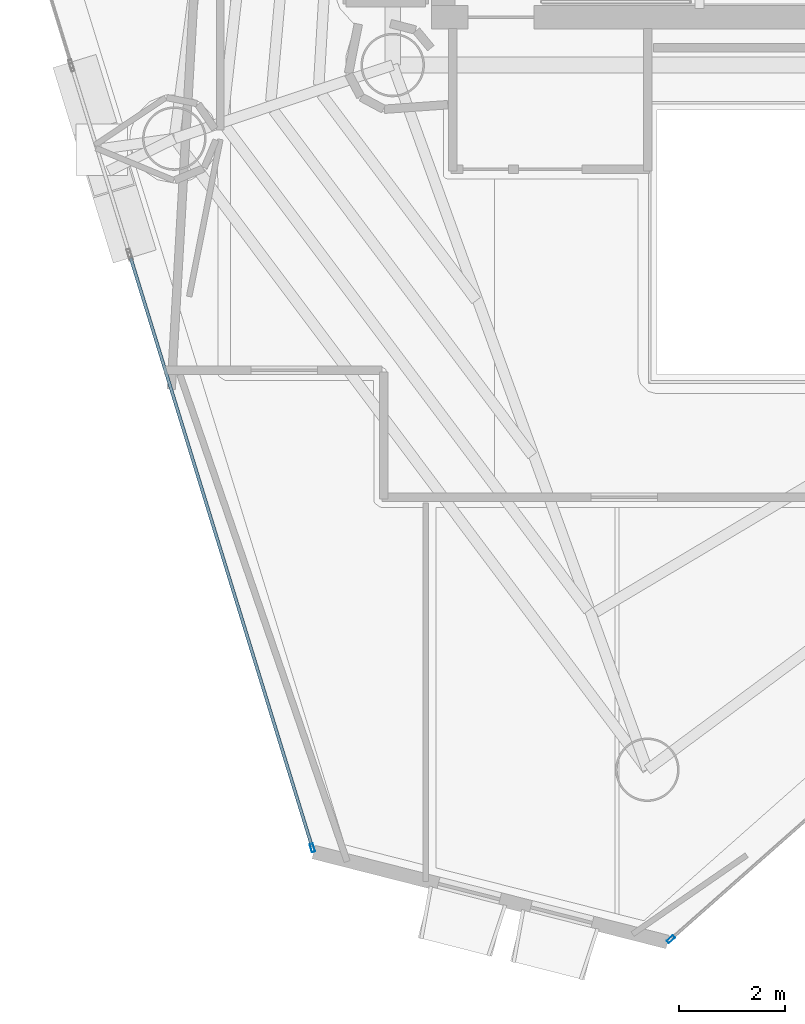
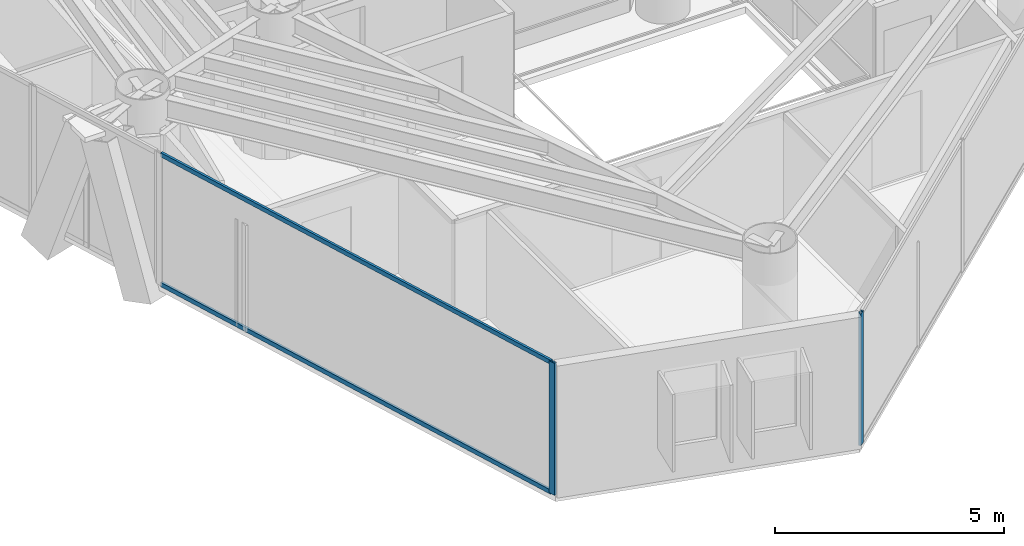
# One storey, part 2 of 23: 4 members, 2 elements without a shape of their own.
"""IFC4 building model written with IfcOpenShell, lengths in metres."""

from ifc_helpers import new_model, si_unit, direction, frame, origin, origin_2d, place, context, subcontext, project, spatial, hollow_rectangle, extrude, material, layer, layer_set, material_profile, profile_set, type_object, element, aggregate, save


model = new_model("IFC4")

# Units and contexts
model_context = context("Model", 3, precision=1e-05, world=origin(), true_north=direction((0.0, 1.0)))
body_context = subcontext(model_context, "Body", "Model", "MODEL_VIEW")
ifc_project = project(units=[si_unit("LENGTHUNIT", "METRE"), si_unit("AREAUNIT", "SQUARE_METRE"), si_unit("VOLUMEUNIT", "CUBIC_METRE"), si_unit("PLANEANGLEUNIT", "RADIAN"), si_unit("MASSUNIT", "GRAM", prefix="KILO")], contexts=[model_context])

# Site, building, storey
site_placement = place(None, origin())
site = spatial("IfcSite", under=ifc_project, at=site_placement, CompositionType="ELEMENT")
building_placement = place(site_placement, origin())
building = spatial("IfcBuilding", under=site, at=building_placement, Name="Qianvela Tower", CompositionType="ELEMENT")
storey_placement = place(building_placement, frame((0.0, 0.0, 218.800048828125)))
storey = spatial("IfcBuildingStorey", under=building, at=storey_placement, Name="L56", CompositionType="ELEMENT", Elevation=218.800048828125)

# Curtain wall, member
ifc_material_1 = material(Name="Anodised Architectural Aluminium and Low-E Glass", Category="aluminium")
ifc_layer = layer(ifc_material_1, 0.159912109375)
ifc_layer_set = layer_set([ifc_layer], Name="Anodised Architectural Aluminium and Low-E Glass")
curtain_wall_type = type_object("IfcCurtainWallType", Name="CW-COLIV-Z56", PredefinedType="USERDEFINED", material=ifc_layer_set)
curtain_wall_1_placement = place(storey_placement, origin())
curtain_wall_1 = element("IfcCurtainWall", 1, at=curtain_wall_1_placement, inside=storey, type_object=curtain_wall_type, Name="L56 CW-COLIV-Z56 Curtain Wall 04C", ObjectType="CURTAIN_WALL_SYSTEM", PredefinedType="USERDEFINED")
ifc_material_2 = material(Name="Anodised Architectural Aluminium 6063-T6", Category="aluminium")
ifc_material_profile_1 = material_profile(ifc_material_2, hollow_rectangle(XDim=0.06494140625, YDim=0.159912109375, WallThickness=0.0048828125, at=origin_2d()), Name="ALU-MULL-65x160")
ifc_profile_set_1 = profile_set([ifc_material_profile_1], Name="Anodised Architectural Aluminium 6063-T6")
member_type_1 = type_object("IfcMemberType", Name="CW-COLIV-Z56-MULL", PredefinedType="MULLION", material=ifc_profile_set_1)
member_1_placement = place(storey_placement, frame((27.08251953125, 9.052978515625, 0.0), z_axis=(0.0, 0.0, 1.0), x_axis=(0.955689457726, 0.294376732083, 0.0)))
member_1 = element("IfcMember", 2, at=member_1_placement, type_object=member_type_1, Name="CW-5 mullion 2", PredefinedType="MULLION", context=body_context, shape_type="SweptSolid", body=[
    extrude(hollow_rectangle(XDim=0.06494140625, YDim=0.159912109375, WallThickness=0.0048828125, at=origin_2d()), origin(), (0.0, 0.0, 1.0), 3.52001953125),
])

curtain_wall_2_placement = place(storey_placement, origin())
curtain_wall_2 = element("IfcCurtainWall", 3, at=curtain_wall_2_placement, inside=storey, type_object=curtain_wall_type, Name="L56 CW-COLIV-Z56 Curtain Wall 06A", ObjectType="CURTAIN_WALL_SYSTEM", PredefinedType="USERDEFINED")
member_2_placement = place(storey_placement, frame((33.857666015625, 7.327880859375, 0.0), z_axis=(0.0, 0.0, 1.0), x_axis=(-0.662268583192, 0.749266523819, 0.0)))
member_2 = element("IfcMember", 4, at=member_2_placement, type_object=member_type_1, Name="CW-5 mullion 1", PredefinedType="MULLION", context=body_context, shape_type="SweptSolid", body=[
    extrude(hollow_rectangle(XDim=0.06494140625, YDim=0.159912109375, WallThickness=0.0048828125, at=origin_2d()), origin(), (0.0, 0.0, 1.0), 3.52001953125),
])
aggregate(curtain_wall_2, [member_2])

# Member
ifc_material_3 = material(Name="Anodised Architectural Aluminium 6063-T6", Category="aluminium")
ifc_material_profile_2 = material_profile(ifc_material_3, hollow_rectangle(XDim=0.06005859375, YDim=0.114990234375, WallThickness=0.00390625, at=origin_2d()), Name="ALU-TRAN-60x115")
ifc_profile_set_2 = profile_set([ifc_material_profile_2], Name="Anodised Architectural Aluminium 6063-T6")
member_type_2 = type_object("IfcMemberType", Name="CW-COLIV-Z56-TRAN", PredefinedType="USERDEFINED", material=ifc_profile_set_2)
member_3_placement = place(storey_placement, frame((23.64794921875, 20.20263671875, 0.030029296875), z_axis=(0.294374858557, -0.955690034817, 0.0), x_axis=(0.955690034817, 0.294374858557, 0.0)))
member_3 = element("IfcMember", 5, at=member_3_placement, type_object=member_type_2, Name="CW-5 transom 1.1", ObjectType="TRANSOM", PredefinedType="USERDEFINED", context=body_context, shape_type="SweptSolid", body=[
    extrude(hollow_rectangle(XDim=0.06005859375, YDim=0.114990234375, WallThickness=0.00390625, at=origin_2d()), origin(), (0.0, 0.0, 1.0), 11.63427734375),
])

member_4_placement = place(storey_placement, frame((23.64794921875, 20.20263671875, 3.489990234375), z_axis=(0.294374858557, -0.955690034817, 0.0), x_axis=(0.955690034817, 0.294374858557, 0.0)))
member_4 = element("IfcMember", 6, at=member_4_placement, type_object=member_type_2, Name="CW-5 transom 1.2", ObjectType="TRANSOM", PredefinedType="USERDEFINED", context=body_context, shape_type="SweptSolid", body=[
    extrude(hollow_rectangle(XDim=0.06005859375, YDim=0.114990234375, WallThickness=0.00390625, at=origin_2d()), origin(), (0.0, 0.0, 1.0), 11.63427734375),
])

aggregate(curtain_wall_1, [member_1, member_3, member_4])

save(model, "model.ifc")
